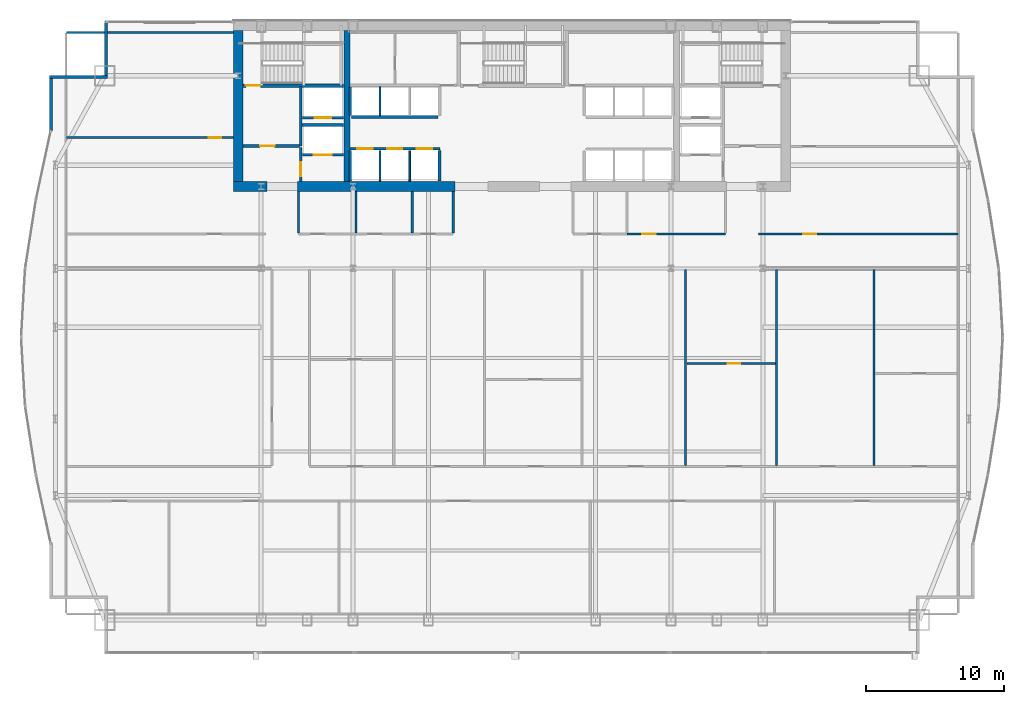
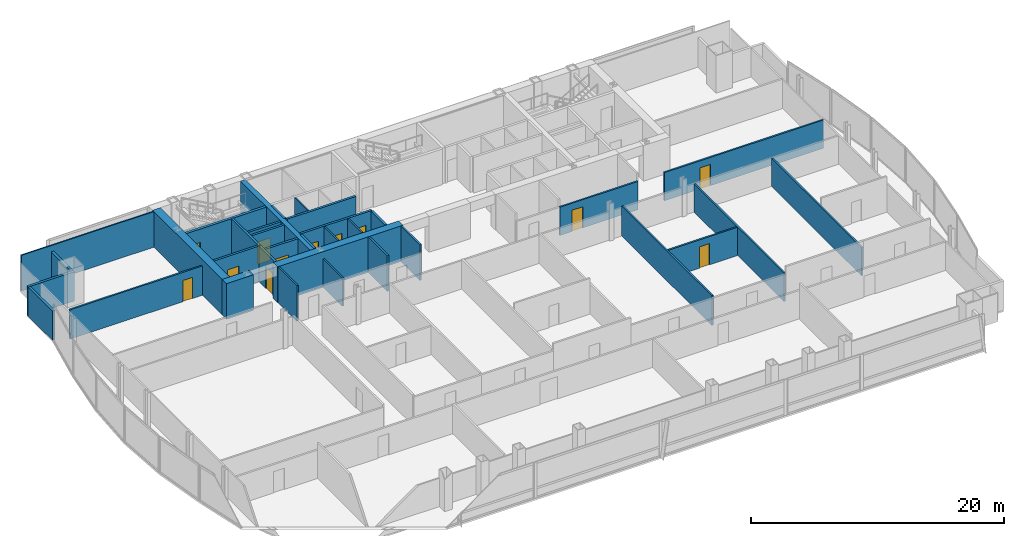
# One storey, part 27 of 32: 34 walls, 12 doors, 12 openings.
"""IFC4 building model written with IfcOpenShell, lengths in metres."""

import ifcopenshell
import ifcopenshell.guid

model = None  # the IFC model being written
_history = None  # IfcOwnerHistory: only IFC2X3 demands one
_inside = {}  # id of a spatial element -> (the spatial element, [elements in it])
_under = {}  # id of a project, library or spatial element -> (it, [spatial elements below it])
_declared = {}  # id of a project -> (the project, [libraries it declares])
_typed = {}  # id of a type object -> (the type object, [elements of that type])
_made_of = {}  # id of a material, layer set ... -> (it, [elements and type objects made of it])


def new_model(schema):
    """Start an empty IFC model of exactly this schema.

    Asked for "IFC4X3", IfcOpenShell would pick the latest addendum, in which some entities
    have other attributes; the version numbers below select the first issue.
    IFC2X3 requires an IfcOwnerHistory on every rooted entity: one is made here for all.
    """
    global model, _history
    if schema == "IFC4X3":
        model = ifcopenshell.file(schema_version=(4, 3, 0, 0))
    else:
        model = ifcopenshell.file(schema=schema)
    _inside.clear()
    _under.clear()
    _declared.clear()
    _typed.clear()
    _made_of.clear()
    _history = None
    if model.schema == "IFC2X3":
        org = make("IfcOrganization", Name="unknown")
        user = make(
            "IfcPersonAndOrganization",
            ThePerson=make("IfcPerson", FamilyName="unknown"),
            TheOrganization=org,
        )
        app = make(
            "IfcApplication",
            ApplicationDeveloper=org,
            Version="unknown",
            ApplicationFullName="unknown",
            ApplicationIdentifier="unknown",
        )
        _history = make(
            "IfcOwnerHistory",
            OwningUser=user,
            OwningApplication=app,
            ChangeAction="ADDED",
            CreationDate=0,
        )
    return model


def make(cls, **values):
    """One entity of the class cls with the attributes given. An attribute that is None is left unset."""
    return model.create_entity(
        cls, **{name: value for name, value in values.items() if value is not None}
    )


def rooted(cls, **values):
    """An entity with a GlobalId (a new one), such as an element, a storey or a relation."""
    return make(cls, GlobalId=ifcopenshell.guid.new(), OwnerHistory=_history, **values)


def si_unit(unit_type, name, prefix=None):
    """IfcSIUnit, for example si_unit("LENGTHUNIT", "METRE", prefix="MILLI")."""
    return make("IfcSIUnit", UnitType=unit_type, Prefix=prefix, Name=name)


def assignment(units):
    """IfcUnitAssignment: the units of a project."""
    return None if units is None else make("IfcUnitAssignment", Units=units)


def point(xyz):
    """IfcCartesianPoint."""
    return None if xyz is None else make("IfcCartesianPoint", Coordinates=xyz)


def direction(xyz):
    """IfcDirection."""
    return None if xyz is None else make("IfcDirection", DirectionRatios=xyz)


def frame(location, z_axis=None, x_axis=None):
    """IfcAxis2Placement3D, a coordinate frame: its origin and axes. An axis left out is left unset."""
    return make(
        "IfcAxis2Placement3D",
        Location=point(location),
        Axis=direction(z_axis),
        RefDirection=direction(x_axis),
    )


def frame_2d(location, x_axis=None):
    """IfcAxis2Placement2D, a coordinate frame in the plane: its origin and x axis."""
    return make(
        "IfcAxis2Placement2D", Location=point(location), RefDirection=direction(x_axis)
    )


def origin():
    """The frame at (0, 0, 0) with its axes left unset."""
    return frame((0.0, 0.0, 0.0))


def place(relative_to, where):
    """IfcLocalPlacement: puts the frame where relative to a parent placement (None: the world)."""
    return make(
        "IfcLocalPlacement", PlacementRelTo=relative_to, RelativePlacement=where
    )


def context(
    kind, dimensions, precision=None, world=None, true_north=None, identifier=None
):
    """IfcGeometricRepresentationContext, for example the 3D "Model" context."""
    return make(
        "IfcGeometricRepresentationContext",
        ContextIdentifier=identifier,
        ContextType=kind,
        CoordinateSpaceDimension=dimensions,
        Precision=precision,
        WorldCoordinateSystem=world,
        TrueNorth=true_north,
    )


def subcontext(parent, identifier, kind, view, scale=None):
    """IfcGeometricRepresentationSubContext, for example "Body" below "Model"."""
    return make(
        "IfcGeometricRepresentationSubContext",
        ContextIdentifier=identifier,
        ContextType=kind,
        ParentContext=parent,
        TargetScale=scale,
        TargetView=view,
    )


def project(units=None, contexts=None):
    """IfcProject with its units and contexts."""
    return rooted(
        "IfcProject",
        Name="project",
        RepresentationContexts=contexts,
        UnitsInContext=assignment(units),
    )


def spatial(cls, under=None, at=None, **own):
    """A site, building, storey or space (cls), placed at a placement, below another one or the project."""
    s = rooted(cls, ObjectPlacement=at, **own)
    if under is not None:
        _under.setdefault(under.id(), (under, []))[1].append(s)
    return s


def profile(cls, at=None, kind="AREA", **sizes):
    """A parametric profile (cls). Its sizes go by their IFC names, for example OverallWidth=200.0."""
    return make(cls, ProfileType=kind, Position=at, **sizes)


def rectangle(**sizes):
    """IfcRectangleProfileDef."""
    return profile("IfcRectangleProfileDef", **sizes)


def extrude(swept, where, along, depth):
    """IfcExtrudedAreaSolid: the profile swept, set in the frame where, extruded along a direction by depth."""
    return make(
        "IfcExtrudedAreaSolid",
        SweptArea=swept,
        Position=where,
        ExtrudedDirection=direction(along),
        Depth=depth,
    )


def shape(context_of_items, identifier, shape_type, items):
    """IfcShapeRepresentation: the items that make up one representation, for example the "Body"."""
    return make(
        "IfcShapeRepresentation",
        ContextOfItems=context_of_items,
        RepresentationIdentifier=identifier,
        RepresentationType=shape_type,
        Items=items,
    )


def material(Name=None, Category=None):
    """IfcMaterial."""
    return make("IfcMaterial", Name=Name, Category=Category)


def layer(
    of_material, thickness, ventilated=None, Name=None, Category=None, Priority=None
):
    """IfcMaterialLayer: one layer of a wall or slab, of a material (None: an air gap)."""
    return make(
        "IfcMaterialLayer",
        Material=of_material,
        LayerThickness=thickness,
        IsVentilated=ventilated,
        Name=Name,
        Category=Category,
        Priority=Priority,
    )


def layer_set(layers, Name=None):
    """IfcMaterialLayerSet."""
    return make("IfcMaterialLayerSet", MaterialLayers=layers, LayerSetName=Name)


def made_of(thing, what):
    """Note that an element or type object is made of a material, layer set ...; save() writes the relation."""
    if what is not None:
        _made_of.setdefault(what.id(), (what, []))[1].append(thing)
    return thing


def type_object(cls, material=None, **own):
    """A type object (cls), such as IfcWallType, which elements share."""
    return made_of(rooted(cls, **own), material)


def element(
    cls,
    number,
    at=None,
    inside=None,
    cuts=None,
    type_object=None,
    material=None,
    context=None,
    identifier="Body",
    shape_type=None,
    held_by="IfcProductDefinitionShape",
    body=None,
    shapes=None,
    **own,
):
    """One element of the class cls, such as IfcWall. Its Tag is "e" and its number.

    at: its placement. inside: the storey or other place that contains it. cuts: it is an
    opening in that element (IfcRelVoidsElement). A single representation is given by context,
    identifier, shape_type and body (its items); several are given by shapes. held_by: the class
    of the entity that holds the representations. save() writes the other relations.
    """
    e = rooted(cls, Tag="e%d" % number, ObjectPlacement=at, **own)
    if body is not None:
        shapes = [shape(context, identifier, shape_type, body)]
    if shapes is not None:
        e.Representation = make(held_by, Representations=shapes)
    if inside is not None:
        _inside.setdefault(inside.id(), (inside, []))[1].append(e)
    if cuts is not None:
        rooted(
            "IfcRelVoidsElement", RelatingBuildingElement=cuts, RelatedOpeningElement=e
        )
    if type_object is not None:
        _typed.setdefault(type_object.id(), (type_object, []))[1].append(e)
    return made_of(e, material)


def fill(opening, filler):
    """IfcRelFillsElement: the door or window that sits in an opening."""
    return rooted(
        "IfcRelFillsElement",
        RelatingOpeningElement=opening,
        RelatedBuildingElement=filler,
    )


def aggregate(whole, parts):
    """IfcRelAggregates: a whole, such as a stair, and the parts it consists of."""
    return rooted("IfcRelAggregates", RelatingObject=whole, RelatedObjects=parts)


def save(model, path):
    """Write the relations noted so far, then the file.

    IfcRelAggregates (storeys below a building ...), IfcRelContainedInSpatialStructure (elements
    in a storey), IfcRelDefinesByType, IfcRelAssociatesMaterial and IfcRelDeclares: one each for
    every whole, place, type object, material and project.
    """
    for whole, parts in _under.values():
        aggregate(whole, parts)
    for where, things in _inside.values():
        rooted(
            "IfcRelContainedInSpatialStructure",
            RelatedElements=things,
            RelatingStructure=where,
        )
    for kind, things in _typed.values():
        rooted("IfcRelDefinesByType", RelatedObjects=things, RelatingType=kind)
    for what, things in _made_of.values():
        rooted("IfcRelAssociatesMaterial", RelatedObjects=things, RelatingMaterial=what)
    for by, libraries in _declared.values():
        rooted("IfcRelDeclares", RelatingContext=by, RelatedDefinitions=libraries)
    model.write(path)


model = new_model("IFC4")

# Units and contexts
model_context = context("Model", 3, precision=1e-05, world=origin(), true_north=direction((0.0, 1.0)))
body_context = subcontext(model_context, "Body", "Model", "MODEL_VIEW")
ifc_project = project(units=[si_unit("LENGTHUNIT", "METRE"), si_unit("AREAUNIT", "SQUARE_METRE"), si_unit("VOLUMEUNIT", "CUBIC_METRE"), si_unit("PLANEANGLEUNIT", "RADIAN"), si_unit("MASSUNIT", "GRAM", prefix="KILO")], contexts=[model_context])

# Site, building, storey
site_placement = place(None, origin())
site = spatial("IfcSite", under=ifc_project, at=site_placement, CompositionType="ELEMENT")
building_placement = place(site_placement, origin())
building = spatial("IfcBuilding", under=site, at=building_placement, Name="Khoronbel Lancet Exchange", CompositionType="ELEMENT")
storey_placement = place(building_placement, frame((0.0, 0.0, 111.0)))
storey = spatial("IfcBuildingStorey", under=building, at=storey_placement, Name="L26", CompositionType="ELEMENT", Elevation=111.0)

# Walls
ifc_material_1 = material(Name="Concrete C80/95", Category="concrete")
ifc_layer_1 = layer(ifc_material_1, 0.699951171875, Name="Concrete C80/95")
ifc_layer_set_1 = layer_set([ifc_layer_1], Name="Concrete C80/95")
wall_type_1 = type_object("IfcWallType", Name="WL-CW2", PredefinedType="SHEAR", material=ifc_layer_set_1)
wall_1_placement = place(storey_placement, frame((16.550048828125, 42.0, 0.0), z_axis=(0.0, 0.0, 1.0), x_axis=(0.0, 1.0, 0.0)))
element("IfcWall", 1, at=wall_1_placement, inside=storey, type_object=wall_type_1, Name="Level L26 rear core west shear wall", PredefinedType="SHEAR", context=body_context, shape_type="SweptSolid", body=[
    extrude(rectangle(XDim=11.0, YDim=0.699951171875, at=frame_2d((5.5, 0.0))), origin(), (0.0, 0.0, 1.0), 3.43994140625),
])
wall_2_placement = place(storey_placement, frame((18.64990234375, 41.64990234375, 0.0), z_axis=(0.0, 0.0, 1.0), x_axis=(-1.0, 0.0, 0.0)))
element("IfcWall", 2, at=wall_2_placement, inside=storey, type_object=wall_type_1, Name="Level L26 rear core south shear wall pier P1", PredefinedType="SHEAR", context=body_context, shape_type="SweptSolid", body=[
    extrude(rectangle(XDim=2.449951171875, YDim=0.699951171875, at=frame_2d((1.22509765625, 0.0))), origin(), (0.0, 0.0, 1.0), 3.43994140625),
])
wall_3_placement = place(storey_placement, frame((32.300048828125, 41.64990234375, 0.0), z_axis=(0.0, 0.0, 1.0), x_axis=(-1.0, 0.0, 0.0)))
element("IfcWall", 3, at=wall_3_placement, inside=storey, type_object=wall_type_1, Name="Level L26 rear core south shear wall pier P2", PredefinedType="SHEAR", context=body_context, shape_type="SweptSolid", body=[
    extrude(rectangle(XDim=11.449951171875, YDim=0.699951171875, at=frame_2d((5.72509765625, 0.0))), origin(), (0.0, 0.0, 1.0), 3.43994140625),
])
ifc_material_2 = material(Name="Precast concrete C40/50", Category="concrete")
ifc_layer_2 = layer(ifc_material_2, 0.25, Name="Precast concrete C40/50")
ifc_layer_set_2 = layer_set([ifc_layer_2], Name="Precast concrete C40/50")
wall_type_2 = type_object("IfcWallType", Name="WL-EXT250", PredefinedType="SOLIDWALL", material=ifc_layer_set_2)
wall_4_placement = place(storey_placement, frame((2.93994140625, 45.67041015625, 0.0), z_axis=(0.0, 0.0, 1.0), x_axis=(0.0, 1.0, 0.0)))
element("IfcWall", 4, at=wall_4_placement, inside=storey, type_object=wall_type_2, Name="Level L26 notched-corner limestone pier 10", PredefinedType="SOLIDWALL", context=body_context, shape_type="SweptSolid", body=[
    extrude(rectangle(XDim=3.82958984375, YDim=0.219970703125, at=frame_2d((1.914794921875, 0.0))), origin(), (0.0, 0.0, 1.0), 2.830078125),
])
wall_5_placement = place(storey_placement, frame((2.830078125, 49.610107421875, 0.0), z_axis=(0.0, 0.0, 1.0), x_axis=(1.0, 0.0, 0.0)))
element("IfcWall", 5, at=wall_5_placement, inside=storey, type_object=wall_type_2, Name="Level L26 notched-corner limestone pier 11", PredefinedType="SOLIDWALL", context=body_context, shape_type="SweptSolid", body=[
    extrude(rectangle(XDim=4.219970703125, YDim=0.219970703125, at=frame_2d((2.10986328125, 0.0))), origin(), (0.0, 0.0, 1.0), 2.830078125),
])
wall_6_placement = place(storey_placement, frame((6.93994140625, 49.719970703125, 0.0), z_axis=(0.0, 0.0, 1.0), x_axis=(0.0, 1.0, 0.0)))
element("IfcWall", 6, at=wall_6_placement, inside=storey, type_object=wall_type_2, Name="Level L26 notched-corner limestone pier 12", PredefinedType="SOLIDWALL", context=body_context, shape_type="SweptSolid", body=[
    extrude(rectangle(XDim=3.909912109375, YDim=0.219970703125, at=frame_2d((1.955078125, 0.0))), origin(), (0.0, 0.0, 1.0), 2.830078125),
])
ifc_material_3 = material(Name="Acoustic Metal-Stud & Mineral-Wool Gypsum Partition 120 mm", Category="gypsum")
ifc_layer_3 = layer(ifc_material_3, 0.1201171875, Name="Acoustic Metal-Stud & Mineral-Wool Gypsum Partition 120 mm")
ifc_layer_set_3 = layer_set([ifc_layer_3], Name="Acoustic Metal-Stud & Mineral-Wool Gypsum Partition 120 mm")
wall_type_3 = type_object("IfcWallType", Name="WL-PRT120", PredefinedType="PARTITIONING", material=ifc_layer_set_3)
wall_7_placement = place(storey_placement, frame((20.949951171875, 38.280029296875, 0.0), z_axis=(0.0, 0.0, 1.0), x_axis=(0.0, 1.0, 0.0)))
element("IfcWall", 7, at=wall_7_placement, inside=storey, type_object=wall_type_3, Name="Level L26 interior partition PW-WC-0", PredefinedType="PARTITIONING", context=body_context, shape_type="SweptSolid", body=[
    extrude(rectangle(XDim=3.02001953125, YDim=0.14990234375, at=frame_2d((1.510009765625, 0.0))), origin(), (0.0, 0.0, 1.0), 3.43994140625),
])
wall_8_placement = place(storey_placement, frame((25.10009765625, 38.280029296875, 0.0), z_axis=(0.0, 0.0, 1.0), x_axis=(0.0, 1.0, 0.0)))
element("IfcWall", 8, at=wall_8_placement, inside=storey, type_object=wall_type_3, Name="Level L26 interior partition PW-WC-1", PredefinedType="PARTITIONING", context=body_context, shape_type="SweptSolid", body=[
    extrude(rectangle(XDim=3.02001953125, YDim=0.14990234375, at=frame_2d((1.510009765625, 0.0))), origin(), (0.0, 0.0, 1.0), 2.72998046875),
])
for number, where, z_axis, x_axis, name in (
    (9, (29.199951171875, 38.280029296875, 0.0), (0.0, 0.0, 1.0), (0.0, 1.0, 0.0), "Level L26 interior partition PW-WC-2"),
    (10, (32.179931640625, 38.280029296875, 0.0), (0.0, 0.0, 1.0), (0.0, 1.0, 0.0), "Level L26 interior partition PW-WC-3"),
):
    element("IfcWall", number, at=place(storey_placement, frame(where, z_axis=z_axis, x_axis=x_axis)), inside=storey, type_object=wall_type_3, Name=name, PredefinedType="PARTITIONING", context=body_context, shape_type="SweptSolid", body=[
        extrude(rectangle(XDim=3.02001953125, YDim=0.14990234375, at=frame_2d((1.510009765625, 0.0))), origin(), (0.0, 0.0, 1.0), 3.43994140625),
    ])

# Wall, opening, door
wall_9_placement = place(storey_placement, frame((4.094970703125, 45.199951171875, 0.0), z_axis=(0.0, 0.0, 1.0), x_axis=(1.0, 0.0, 0.0)))
wall_9 = element("IfcWall", 11, at=wall_9_placement, inside=storey, type_object=wall_type_3, Name="Level L26 interior partition PW-NW-H", PredefinedType="PARTITIONING", context=body_context, shape_type="SweptSolid", body=[
    extrude(rectangle(XDim=12.10498046875, YDim=0.14990234375, at=frame_2d((6.052490234375, 0.0))), origin(), (0.0, 0.0, 1.0), 2.830078125),
])
opening_1_placement = place(wall_9_placement, frame((10.320068359375, 0.0, 0.0)))
opening_1 = element("IfcOpeningElement", 12, at=opening_1_placement, cuts=wall_9, Name="Opening D5", PredefinedType="OPENING", context=body_context, shape_type="SweptSolid", body=[
    extrude(rectangle(XDim=0.89990234375, YDim=2.050048828125, at=frame_2d((0.449951171875, 1.02490234375))), frame((0.0, 0.0849609375, 0.0), z_axis=(0.0, -1.0, 0.0), x_axis=(1.0, 0.0, 0.0)), (0.0, 0.0, 1.0), 0.169921875),
])
ifc_material_4 = material(Name="Acoustic Timber Pantry & Support Door", Category="wood")
door_type_1 = type_object("IfcDoorType", Name="DR-D5", OperationType="NOTDEFINED", PredefinedType="DOOR", material=ifc_material_4)
door_1_placement = place(opening_1_placement, origin())
door_1 = element("IfcDoor", 13, at=door_1_placement, inside=storey, type_object=door_type_1, Name="NW north room door L26-1", OperationType="SINGLE_SWING_LEFT", OverallHeight=2.050048828125, OverallWidth=0.89990234375, PredefinedType="DOOR", context=body_context, shape_type="SweptSolid", body=[
    extrude(rectangle(XDim=0.89990234375, YDim=2.050048828125, at=frame_2d((0.449951171875, 1.02490234375))), frame((0.0, 0.02490234375, 0.0), z_axis=(0.0, -1.0, 0.0), x_axis=(1.0, 0.0, 0.0)), (0.0, 0.0, 1.0), 0.050048828125),
])
fill(opening_1, door_1)

wall_10_placement = place(storey_placement, frame((49.151123046875, 28.7880859375, 0.0), z_axis=(0.0, 0.0, 1.0), x_axis=(1.0, 0.0, 0.0)))
wall_10 = element("IfcWall", 14, at=wall_10_placement, inside=storey, type_object=wall_type_3, Name="Level L26 interior partition PW-Z2N-H5", PredefinedType="PARTITIONING", context=body_context, shape_type="SweptSolid", body=[
    extrude(rectangle(XDim=6.439697265625, YDim=0.14990234375, at=frame_2d((3.2197265625, 0.0))), origin(), (0.0, 0.0, 1.0), 2.72998046875),
])
opening_2_placement = place(wall_10_placement, frame((2.9697265625, 0.0, 0.0)))
opening_2 = element("IfcOpeningElement", 15, at=opening_2_placement, cuts=wall_10, Name="Opening D5", PredefinedType="OPENING", context=body_context, shape_type="SweptSolid", body=[
    extrude(rectangle(XDim=0.89990234375, YDim=2.050048828125, at=frame_2d((0.449951171875, 1.02490234375))), frame((0.0, 0.0849609375, 0.0), z_axis=(0.0, -1.0, 0.0), x_axis=(1.0, 0.0, 0.0)), (0.0, 0.0, 1.0), 0.169921875),
])
door_2_placement = place(opening_2_placement, origin())
door_2 = element("IfcDoor", 16, at=door_2_placement, inside=storey, type_object=door_type_1, Name="Z2N inner door 5 L26-1", OperationType="SINGLE_SWING_LEFT", OverallHeight=2.050048828125, OverallWidth=0.89990234375, PredefinedType="DOOR", context=body_context, shape_type="SweptSolid", body=[
    extrude(rectangle(XDim=0.89990234375, YDim=2.050048828125, at=frame_2d((0.449951171875, 1.02490234375))), frame((0.0, 0.02490234375, 0.0), z_axis=(0.0, -1.0, 0.0), x_axis=(1.0, 0.0, 0.0)), (0.0, 0.0, 1.0), 0.050048828125),
])
fill(opening_2, door_2)

# Walls
wall_11_placement = place(storey_placement, frame((4.094970703125, 52.840087890625, 0.0), z_axis=(0.0, 0.0, 1.0), x_axis=(1.0, 0.0, 0.0)))
element("IfcWall", 17, at=wall_11_placement, inside=storey, type_object=wall_type_3, Name="Level L26 interior partition PW-LIN-NW", PredefinedType="PARTITIONING", context=body_context, shape_type="SweptSolid", body=[
    extrude(rectangle(XDim=12.10498046875, YDim=0.1201171875, at=frame_2d((6.052490234375, 0.0))), origin(), (0.0, 0.0, 1.0), 3.43994140625),
])
ifc_material_5 = material(Name="Fire-Rated Metal-Stud & Mineral-Wool Gypsum Partition 120 mm", Category="gypsum")
ifc_layer_4 = layer(ifc_material_5, 0.1201171875, Name="Fire-Rated Metal-Stud & Mineral-Wool Gypsum Partition 120 mm")
ifc_layer_set_4 = layer_set([ifc_layer_4], Name="Fire-Rated Metal-Stud & Mineral-Wool Gypsum Partition 120 mm")
wall_type_4 = type_object("IfcWallType", Name="WL-PRT120F", PredefinedType="PARTITIONING", material=ifc_layer_set_4)
wall_12_placement = place(storey_placement, frame((26.860107421875, 46.804931640625, 0.0), z_axis=(0.0, 0.0, 1.0), x_axis=(0.0, 1.0, 0.0)))
element("IfcWall", 18, at=wall_12_placement, inside=storey, type_object=wall_type_4, Name="Level L26 interior partition CW-PL-D1", PredefinedType="PARTITIONING", context=body_context, shape_type="SweptSolid", body=[
    extrude(rectangle(XDim=2.090087890625, YDim=0.1201171875, at=frame_2d((1.044921875, 0.0))), origin(), (0.0, 0.0, 1.0), 3.43994140625),
])
for number, where, z_axis, x_axis, name in (
    (19, (26.860107421875, 42.050048828125, 0.0), (0.0, 0.0, 1.0), (0.0, 1.0, 0.0), "Level L26 interior partition CW-PM-D1"),
    (20, (29.02001953125, 42.050048828125, 0.0), (0.0, 0.0, 1.0), (0.0, 1.0, 0.0), "Level L26 interior partition CW-PM-D2"),
):
    element("IfcWall", number, at=place(storey_placement, frame(where, z_axis=z_axis, x_axis=x_axis)), inside=storey, type_object=wall_type_4, Name=name, PredefinedType="PARTITIONING", context=body_context, shape_type="SweptSolid", body=[
        extrude(rectangle(XDim=2.199951171875, YDim=0.1201171875, at=frame_2d((1.10009765625, 0.0))), origin(), (0.0, 0.0, 1.0), 3.43994140625),
    ])

# Wall, opening, door
ifc_material_6 = material(Name="Fire-Rated Twin-Stud Acoustic Gypsum Partition 150 mm", Category="gypsum")
ifc_layer_5 = layer(ifc_material_6, 0.14990234375, Name="Fire-Rated Twin-Stud Acoustic Gypsum Partition 150 mm")
ifc_layer_set_5 = layer_set([ifc_layer_5], Name="Fire-Rated Twin-Stud Acoustic Gypsum Partition 150 mm")
wall_type_5 = type_object("IfcWallType", Name="WL-PRT150C", PredefinedType="PARTITIONING", material=ifc_layer_set_5)
wall_13_placement = place(storey_placement, frame((44.800048828125, 38.199951171875, 0.0), z_axis=(0.0, 0.0, 1.0), x_axis=(1.0, 0.0, 0.0)))
wall_13 = element("IfcWall", 21, at=wall_13_placement, inside=storey, type_object=wall_type_5, Name="Level L26 interior partition PW-NP-S2", PredefinedType="PARTITIONING", context=body_context, shape_type="SweptSolid", body=[
    extrude(rectangle(XDim=7.14990234375, YDim=0.14990234375, at=frame_2d((3.574951171875, 0.0))), origin(), (0.0, 0.0, 1.0), 2.72998046875),
])
opening_3_placement = place(wall_13_placement, frame((1.10009765625, 0.0, 0.0)))
opening_3 = element("IfcOpeningElement", 22, at=opening_3_placement, cuts=wall_13, Name="Opening D2", PredefinedType="OPENING", context=body_context, shape_type="SweptSolid", body=[
    extrude(rectangle(XDim=1.0, YDim=2.050048828125, at=frame_2d((0.5, 1.02490234375))), frame((0.0, 0.0849609375, 0.0), z_axis=(0.0, -1.0, 0.0), x_axis=(1.0, 0.0, 0.0)), (0.0, 0.0, 1.0), 0.169921875),
])
ifc_material_7 = material(Name="Acoustic Veneered Timber & Bronze Frame Door", Category="wood")
door_type_2 = type_object("IfcDoorType", Name="DR-D2", OperationType="NOTDEFINED", PredefinedType="DOOR", material=ifc_material_7)
door_3_placement = place(opening_3_placement, origin())
door_3 = element("IfcDoor", 23, at=door_3_placement, inside=storey, type_object=door_type_2, Name="Floor store door L26-1", OperationType="SINGLE_SWING_RIGHT", OverallHeight=2.050048828125, OverallWidth=1.0, PredefinedType="DOOR", context=body_context, shape_type="SweptSolid", body=[
    extrude(rectangle(XDim=1.0, YDim=2.050048828125, at=frame_2d((0.5, 1.02490234375))), frame((0.0, 0.02490234375, 0.0), z_axis=(0.0, -1.0, 0.0), x_axis=(1.0, 0.0, 0.0)), (0.0, 0.0, 1.0), 0.050048828125),
])
fill(opening_3, door_3)

wall_14_placement = place(storey_placement, frame((54.35009765625, 38.199951171875, 0.0), z_axis=(0.0, 0.0, 1.0), x_axis=(1.0, 0.0, 0.0)))
wall_14 = element("IfcWall", 24, at=wall_14_placement, inside=storey, type_object=wall_type_5, Name="Level L26 interior partition PW-NE-S", PredefinedType="PARTITIONING", context=body_context, shape_type="SweptSolid", body=[
    extrude(rectangle(XDim=14.52001953125, YDim=0.14990234375, at=frame_2d((7.260009765625, 0.0))), origin(), (0.0, 0.0, 1.0), 2.72998046875),
])
opening_4_placement = place(wall_14_placement, frame((3.25, 0.0, 0.0)))
opening_4 = element("IfcOpeningElement", 25, at=opening_4_placement, cuts=wall_14, Name="Opening D1", PredefinedType="OPENING", context=body_context, shape_type="SweptSolid", body=[
    extrude(rectangle(XDim=0.949951171875, YDim=2.050048828125, at=frame_2d((0.47509765625, 1.02490234375))), frame((0.0, 0.0849609375, 0.0), z_axis=(0.0, -1.0, 0.0), x_axis=(1.0, 0.0, 0.0)), (0.0, 0.0, 1.0), 0.169921875),
])
door_type_3 = type_object("IfcDoorType", Name="DR-D1", OperationType="NOTDEFINED", PredefinedType="DOOR", material=ifc_material_7)
door_4_placement = place(opening_4_placement, origin())
door_4 = element("IfcDoor", 26, at=door_4_placement, inside=storey, type_object=door_type_3, Name="NE corner room door L26-1", OperationType="SINGLE_SWING_RIGHT", OverallHeight=2.050048828125, OverallWidth=0.949951171875, PredefinedType="DOOR", context=body_context, shape_type="SweptSolid", body=[
    extrude(rectangle(XDim=0.949951171875, YDim=2.050048828125, at=frame_2d((0.47509765625, 1.02490234375))), frame((0.0, 0.02490234375, 0.0), z_axis=(0.0, -1.0, 0.0), x_axis=(1.0, 0.0, 0.0)), (0.0, 0.0, 1.0), 0.050048828125),
])
fill(opening_4, door_4)

# Walls
wall_15_placement = place(storey_placement, frame((49.0712890625, 21.385009765625, 0.0), z_axis=(0.0, 0.0, 1.0), x_axis=(0.0, 1.0, 0.0)))
element("IfcWall", 27, at=wall_15_placement, inside=storey, type_object=wall_type_5, Name="Level L26 interior partition PW-Z2N-V4", PredefinedType="PARTITIONING", context=body_context, shape_type="SweptSolid", body=[
    extrude(rectangle(XDim=14.235107421875, YDim=0.14990234375, at=frame_2d((7.11767578125, 0.0))), origin(), (0.0, 0.0, 1.0), 2.8798828125),
])
for number, where, z_axis, x_axis, name in (
    (28, (55.6708984375, 21.385009765625, 0.0), (0.0, 0.0, 1.0), (0.0, 1.0, 0.0), "Level L26 interior partition PW-Z2N-V5"),
    (29, (62.74169921875, 21.385009765625, 0.0), (0.0, 0.0, 1.0), (0.0, 1.0, 0.0), "Level L26 interior partition PW-Z2N-V6"),
):
    element("IfcWall", number, at=place(storey_placement, frame(where, z_axis=z_axis, x_axis=x_axis)), inside=storey, type_object=wall_type_5, Name=name, PredefinedType="PARTITIONING", context=body_context, shape_type="SweptSolid", body=[
        extrude(rectangle(XDim=14.235107421875, YDim=0.14990234375, at=frame_2d((7.11767578125, 0.0))), origin(), (0.0, 0.0, 1.0), 2.72998046875),
    ])

# Wall, openings, doors
ifc_material_8 = material(Name="Autoclaved Aerated Concrete Blockwork 200 mm", Category="masonry")
ifc_layer_6 = layer(ifc_material_8, 0.199951171875, Name="Autoclaved Aerated Concrete Blockwork 200 mm")
ifc_layer_set_6 = layer_set([ifc_layer_6], Name="Autoclaved Aerated Concrete Blockwork 200 mm")
wall_type_6 = type_object("IfcWallType", Name="WL-PRT200", PredefinedType="PARTITIONING", material=ifc_layer_set_6)
wall_16_placement = place(storey_placement, frame((24.68994140625, 44.39990234375, 0.0), z_axis=(0.0, 0.0, 1.0), x_axis=(1.0, 0.0, 0.0)))
wall_16 = element("IfcWall", 30, at=wall_16_placement, inside=storey, type_object=wall_type_6, Name="Level L26 elevator hoistway landing front wall PMW", PredefinedType="PARTITIONING", context=body_context, shape_type="SweptSolid", body=[
    extrude(rectangle(XDim=6.530029296875, YDim=0.199951171875, at=frame_2d((3.26513671875, 0.0))), origin(), (0.0, 0.0, 1.0), 3.43994140625),
])
opening_5_placement = place(wall_16_placement, frame((0.530029296875, 0.0, 0.0)))
opening_5 = element("IfcOpeningElement", 31, at=opening_5_placement, cuts=wall_16, Name="Opening LD-PM1", PredefinedType="OPENING", context=body_context, shape_type="SweptSolid", body=[
    extrude(rectangle(XDim=1.10009765625, YDim=2.179931640625, at=frame_2d((0.550048828125, 1.08984375))), frame((0.0, 0.10986328125, 0.0), z_axis=(0.0, -1.0, 0.0), x_axis=(1.0, 0.0, 0.0)), (0.0, 0.0, 1.0), 0.219970703125),
])
opening_6_placement = place(wall_16_placement, frame((2.68994140625, 0.0, 0.0)))
opening_6 = element("IfcOpeningElement", 32, at=opening_6_placement, cuts=wall_16, Name="Opening LD-PM2", PredefinedType="OPENING", context=body_context, shape_type="SweptSolid", body=[
    extrude(rectangle(XDim=1.10009765625, YDim=2.179931640625, at=frame_2d((0.550048828125, 1.08984375))), frame((0.0, 0.10986328125, 0.0), z_axis=(0.0, -1.0, 0.0), x_axis=(1.0, 0.0, 0.0)), (0.0, 0.0, 1.0), 0.219970703125),
])
opening_7_placement = place(wall_16_placement, frame((4.85009765625, 0.0, 0.0)))
opening_7 = element("IfcOpeningElement", 33, at=opening_7_placement, cuts=wall_16, Name="Opening LD-PM3", PredefinedType="OPENING", context=body_context, shape_type="SweptSolid", body=[
    extrude(rectangle(XDim=1.10009765625, YDim=2.179931640625, at=frame_2d((0.550048828125, 1.08984375))), frame((0.0, 0.10986328125, 0.0), z_axis=(0.0, -1.0, 0.0), x_axis=(1.0, 0.0, 0.0)), (0.0, 0.0, 1.0), 0.219970703125),
])
ifc_material_9 = material(Name="Brushed Bronze Bi-Parting Elevator Landing Door", Category="steel")
door_type_4 = type_object("IfcDoorType", Name="DR-LD-PAX", OperationType="NOTDEFINED", PredefinedType="DOOR", material=ifc_material_9)
door_5_placement = place(opening_5_placement, origin())
door_5 = element("IfcDoor", 34, at=door_5_placement, inside=storey, type_object=door_type_4, Name="Elevator landing sliding door LD-PM1 L26", OperationType="SLIDING_TO_LEFT", OverallHeight=2.179931640625, OverallWidth=1.10009765625, PredefinedType="DOOR", context=body_context, shape_type="SweptSolid", body=[
    extrude(rectangle(XDim=1.10009765625, YDim=2.179931640625, at=frame_2d((0.550048828125, 1.08984375))), frame((0.0, 0.02490234375, 0.0), z_axis=(0.0, -1.0, 0.0), x_axis=(1.0, 0.0, 0.0)), (0.0, 0.0, 1.0), 0.050048828125),
])
fill(opening_5, door_5)
door_6_placement = place(opening_6_placement, origin())
door_6 = element("IfcDoor", 35, at=door_6_placement, inside=storey, type_object=door_type_4, Name="Elevator landing sliding door LD-PM2 L26", OperationType="SLIDING_TO_LEFT", OverallHeight=2.179931640625, OverallWidth=1.10009765625, PredefinedType="DOOR", context=body_context, shape_type="SweptSolid", body=[
    extrude(rectangle(XDim=1.10009765625, YDim=2.179931640625, at=frame_2d((0.550048828125, 1.08984375))), frame((0.0, 0.02490234375, 0.0), z_axis=(0.0, -1.0, 0.0), x_axis=(1.0, 0.0, 0.0)), (0.0, 0.0, 1.0), 0.050048828125),
])
fill(opening_6, door_6)
door_7_placement = place(opening_7_placement, origin())
door_7 = element("IfcDoor", 36, at=door_7_placement, inside=storey, type_object=door_type_4, Name="Elevator landing sliding door LD-PM3 L26", OperationType="SLIDING_TO_LEFT", OverallHeight=2.179931640625, OverallWidth=1.10009765625, PredefinedType="DOOR", context=body_context, shape_type="SweptSolid", body=[
    extrude(rectangle(XDim=1.10009765625, YDim=2.179931640625, at=frame_2d((0.550048828125, 1.08984375))), frame((0.0, 0.02490234375, 0.0), z_axis=(0.0, -1.0, 0.0), x_axis=(1.0, 0.0, 0.0)), (0.0, 0.0, 1.0), 0.050048828125),
])
fill(opening_7, door_7)

# Wall, opening, door
wall_17_placement = place(storey_placement, frame((24.2099609375, 43.949951171875, 0.0), z_axis=(0.0, 0.0, 1.0), x_axis=(-1.0, 0.0, 0.0)))
wall_17 = element("IfcWall", 37, at=wall_17_placement, inside=storey, type_object=wall_type_6, Name="Level L26 elevator hoistway landing front wall SVLW", PredefinedType="PARTITIONING", context=body_context, shape_type="SweptSolid", body=[
    extrude(rectangle(XDim=2.969970703125, YDim=0.199951171875, at=frame_2d((1.48486328125, 0.0))), origin(), (0.0, 0.0, 1.0), 3.43994140625),
])
opening_8_placement = place(wall_17_placement, frame((0.860107421875, 0.0, 0.0)))
opening_8 = element("IfcOpeningElement", 38, at=opening_8_placement, cuts=wall_17, Name="Opening LD-SVL1", PredefinedType="OPENING", context=body_context, shape_type="SweptSolid", body=[
    extrude(rectangle(XDim=1.300048828125, YDim=2.179931640625, at=frame_2d((0.64990234375, 1.08984375))), frame((0.0, 0.10986328125, 0.0), z_axis=(0.0, -1.0, 0.0), x_axis=(1.0, 0.0, 0.0)), (0.0, 0.0, 1.0), 0.219970703125),
])
ifc_material_10 = material(Name="Heavy-Duty Bi-Parting Goods Lift Landing Door", Category="steel")
door_type_5 = type_object("IfcDoorType", Name="DR-LD-SVL", OperationType="NOTDEFINED", PredefinedType="DOOR", material=ifc_material_10)
door_8_placement = place(opening_8_placement, origin())
door_8 = element("IfcDoor", 39, at=door_8_placement, inside=storey, type_object=door_type_5, Name="Elevator landing sliding door LD-SVL1 L26", OperationType="SLIDING_TO_LEFT", OverallHeight=2.179931640625, OverallWidth=1.300048828125, PredefinedType="DOOR", context=body_context, shape_type="SweptSolid", body=[
    extrude(rectangle(XDim=1.300048828125, YDim=2.179931640625, at=frame_2d((0.64990234375, 1.08984375))), frame((0.0, 0.02490234375, 0.0), z_axis=(0.0, -1.0, 0.0), x_axis=(1.0, 0.0, 0.0)), (0.0, 0.0, 1.0), 0.050048828125),
])
fill(opening_8, door_8)

wall_18_placement = place(storey_placement, frame((24.2099609375, 46.64990234375, 0.0), z_axis=(0.0, 0.0, 1.0), x_axis=(-1.0, 0.0, 0.0)))
wall_18 = element("IfcWall", 40, at=wall_18_placement, inside=storey, type_object=wall_type_6, Name="Level L26 elevator hoistway landing front wall FFLW", PredefinedType="PARTITIONING", context=body_context, shape_type="SweptSolid", body=[
    extrude(rectangle(XDim=2.969970703125, YDim=0.199951171875, at=frame_2d((1.48486328125, 0.0))), origin(), (0.0, 0.0, 1.0), 3.43994140625),
])
opening_9_placement = place(wall_18_placement, frame((0.909912109375, 0.0, 0.0)))
opening_9 = element("IfcOpeningElement", 41, at=opening_9_placement, cuts=wall_18, Name="Opening LD-FFL1", PredefinedType="OPENING", context=body_context, shape_type="SweptSolid", body=[
    extrude(rectangle(XDim=1.199951171875, YDim=2.179931640625, at=frame_2d((0.60009765625, 1.08984375))), frame((0.0, 0.10986328125, 0.0), z_axis=(0.0, -1.0, 0.0), x_axis=(1.0, 0.0, 0.0)), (0.0, 0.0, 1.0), 0.219970703125),
])
ifc_material_11 = material(Name="Fire-Rated Stainless Bi-Parting Firefighting Lift Door", Category="steel")
door_type_6 = type_object("IfcDoorType", Name="DR-LD-FFL", OperationType="NOTDEFINED", PredefinedType="DOOR", material=ifc_material_11)
door_9_placement = place(opening_9_placement, origin())
door_9 = element("IfcDoor", 42, at=door_9_placement, inside=storey, type_object=door_type_6, Name="Elevator landing sliding door LD-FFL1 L26", OperationType="SLIDING_TO_LEFT", OverallHeight=2.179931640625, OverallWidth=1.199951171875, PredefinedType="DOOR", context=body_context, shape_type="SweptSolid", body=[
    extrude(rectangle(XDim=1.199951171875, YDim=2.179931640625, at=frame_2d((0.60009765625, 1.08984375))), frame((0.0, 0.02490234375, 0.0), z_axis=(0.0, -1.0, 0.0), x_axis=(1.0, 0.0, 0.0)), (0.0, 0.0, 1.0), 0.050048828125),
])
fill(opening_9, door_9)

# Wall
wall_19_placement = place(storey_placement, frame((21.10009765625, 44.60009765625, 0.0), z_axis=(0.0, 0.0, 1.0), x_axis=(0.0, 1.0, 0.0)))
element("IfcWall", 43, at=wall_19_placement, inside=storey, type_object=wall_type_6, Name="Level L26 interior partition CW-FFLW-E", PredefinedType="PARTITIONING", context=body_context, shape_type="SweptSolid", body=[
    extrude(rectangle(XDim=4.2998046875, YDim=0.199951171875, at=frame_2d((2.14990234375, 0.0))), origin(), (0.0, 0.0, 1.0), 3.43994140625),
])

# Wall, opening, door
wall_20_placement = place(storey_placement, frame((16.89990234375, 44.60009765625, 0.0), z_axis=(0.0, 0.0, 1.0), x_axis=(1.0, 0.0, 0.0)))
wall_20 = element("IfcWall", 44, at=wall_20_placement, inside=storey, type_object=wall_type_6, Name="Level L26 interior partition CW-FFLW-S", PredefinedType="PARTITIONING", context=body_context, shape_type="SweptSolid", body=[
    extrude(rectangle(XDim=4.10009765625, YDim=0.199951171875, at=frame_2d((2.050048828125, 0.0))), origin(), (0.0, 0.0, 1.0), 3.43994140625),
])
opening_10_placement = place(wall_20_placement, frame((1.25, 0.0, 0.0)))
opening_10 = element("IfcOpeningElement", 45, at=opening_10_placement, cuts=wall_20, Name="Opening FD1", PredefinedType="OPENING", context=body_context, shape_type="SweptSolid", body=[
    extrude(rectangle(XDim=1.050048828125, YDim=2.14990234375, at=frame_2d((0.52490234375, 1.074951171875))), frame((0.0, 0.10986328125, 0.0), z_axis=(0.0, -1.0, 0.0), x_axis=(1.0, 0.0, 0.0)), (0.0, 0.0, 1.0), 0.219970703125),
])
ifc_material_12 = material(Name="Fire-Rated Painted Steel Door Assembly", Category="steel")
door_type_7 = type_object("IfcDoorType", Name="DR-FD1", OperationType="NOTDEFINED", PredefinedType="DOOR", material=ifc_material_12)
door_10_placement = place(opening_10_placement, origin())
door_10 = element("IfcDoor", 46, at=door_10_placement, inside=storey, type_object=door_type_7, Name="West firefighting lobby FD90S door L26-1", OperationType="SINGLE_SWING_LEFT", OverallHeight=2.14990234375, OverallWidth=1.050048828125, PredefinedType="DOOR", context=body_context, shape_type="SweptSolid", body=[
    extrude(rectangle(XDim=1.050048828125, YDim=2.14990234375, at=frame_2d((0.52490234375, 1.074951171875))), frame((0.0, 0.02490234375, 0.0), z_axis=(0.0, -1.0, 0.0), x_axis=(1.0, 0.0, 0.0)), (0.0, 0.0, 1.0), 0.050048828125),
])
fill(opening_10, door_10)

# Wall
wall_21_placement = place(storey_placement, frame((21.199951171875, 46.1201171875, 0.0), z_axis=(0.0, 0.0, 1.0), x_axis=(1.0, 0.0, 0.0)))
element("IfcWall", 47, at=wall_21_placement, inside=storey, type_object=wall_type_6, Name="Level L26 interior partition CW-FFL1-S", PredefinedType="PARTITIONING", context=body_context, shape_type="SweptSolid", body=[
    extrude(rectangle(XDim=3.02001953125, YDim=0.199951171875, at=frame_2d((1.510009765625, 0.0))), origin(), (0.0, 0.0, 1.0), 3.43994140625),
])

# Wall, opening, door
wall_22_placement = place(storey_placement, frame((21.10009765625, 42.0, 0.0), z_axis=(0.0, 0.0, 1.0), x_axis=(0.0, 1.0, 0.0)))
wall_22 = element("IfcWall", 48, at=wall_22_placement, inside=storey, type_object=wall_type_6, Name="Level L26 interior partition CW-SVLW-W", PredefinedType="PARTITIONING", context=body_context, shape_type="SweptSolid", body=[
    extrude(rectangle(XDim=2.4951171875, YDim=0.199951171875, at=frame_2d((1.24755859375, 0.0))), origin(), (0.0, 0.0, 1.0), 3.43994140625),
])
opening_11_placement = place(wall_22_placement, frame((0.3798828125, 0.0, 0.0)))
opening_11 = element("IfcOpeningElement", 49, at=opening_11_placement, cuts=wall_22, Name="Opening FD1", PredefinedType="OPENING", context=body_context, shape_type="SweptSolid", body=[
    extrude(rectangle(XDim=1.050048828125, YDim=2.14990234375, at=frame_2d((0.52490234375, 1.074951171875))), frame((0.0, 0.10986328125, 0.0), z_axis=(0.0, -1.0, 0.0), x_axis=(1.0, 0.0, 0.0)), (0.0, 0.0, 1.0), 0.219970703125),
])
door_11_placement = place(opening_11_placement, origin())
door_11 = element("IfcDoor", 50, at=door_11_placement, inside=storey, type_object=door_type_7, Name="West service lift lobby door L26-1", OperationType="SINGLE_SWING_RIGHT", OverallHeight=2.14990234375, OverallWidth=1.050048828125, PredefinedType="DOOR", context=body_context, shape_type="SweptSolid", body=[
    extrude(rectangle(XDim=1.050048828125, YDim=2.14990234375, at=frame_2d((0.52490234375, 1.074951171875))), frame((0.0, 0.02490234375, 0.0), z_axis=(0.0, -1.0, 0.0), x_axis=(1.0, 0.0, 0.0)), (0.0, 0.0, 1.0), 0.050048828125),
])
fill(opening_11, door_11)

# Walls
wall_23_placement = place(storey_placement, frame((24.804931640625, 46.699951171875, 0.0), z_axis=(0.0, 0.0, 1.0), x_axis=(1.0, 0.0, 0.0)))
element("IfcWall", 51, at=wall_23_placement, inside=storey, type_object=wall_type_6, Name="Level L26 interior partition CW-PL-EXP", PredefinedType="PARTITIONING", context=body_context, shape_type="SweptSolid", body=[
    extrude(rectangle(XDim=6.27001953125, YDim=0.199951171875, at=frame_2d((3.135009765625, 0.0))), origin(), (0.0, 0.0, 1.0), 3.43994140625),
])
wall_24_placement = place(storey_placement, frame((24.699951171875, 46.804931640625, 0.0), z_axis=(0.0, 0.0, 1.0), x_axis=(0.0, 1.0, 0.0)))
element("IfcWall", 52, at=wall_24_placement, inside=storey, type_object=wall_type_6, Name="Level L26 interior partition CW-PL-W", PredefinedType="PARTITIONING", context=body_context, shape_type="SweptSolid", body=[
    extrude(rectangle(XDim=2.090087890625, YDim=0.199951171875, at=frame_2d((1.044921875, 0.0))), origin(), (0.0, 0.0, 1.0), 3.43994140625),
])
for number, where, z_axis, x_axis, name in (
    (53, (24.699951171875, 42.050048828125, 0.0), (0.0, 0.0, 1.0), (0.0, 1.0, 0.0), "Level L26 interior partition CW-PM-W"),
    (54, (31.179931640625, 42.050048828125, 0.0), (0.0, 0.0, 1.0), (0.0, 1.0, 0.0), "Level L26 interior partition CW-PM-E"),
):
    element("IfcWall", number, at=place(storey_placement, frame(where, z_axis=z_axis, x_axis=x_axis)), inside=storey, type_object=wall_type_6, Name=name, PredefinedType="PARTITIONING", context=body_context, shape_type="SweptSolid", body=[
        extrude(rectangle(XDim=2.199951171875, YDim=0.199951171875, at=frame_2d((1.10009765625, 0.0))), origin(), (0.0, 0.0, 1.0), 3.43994140625),
    ])
ifc_layer_7 = layer(ifc_material_1, 0.449951171875, Name="Concrete C80/95")
ifc_layer_set_7 = layer_set([ifc_layer_7], Name="Concrete C80/95")
wall_type_7 = type_object("IfcWallType", Name="WL-SW1", PredefinedType="SHEAR", material=ifc_layer_set_7)
wall_25_placement = place(storey_placement, frame((24.449951171875, 42.0, 0.0), z_axis=(0.0, 0.0, 1.0), x_axis=(0.0, 1.0, 0.0)))
element("IfcWall", 55, at=wall_25_placement, inside=storey, type_object=wall_type_7, Name="Level L26 rear core internal spine shear wall IW", PredefinedType="SHEAR", context=body_context, shape_type="SweptSolid", body=[
    extrude(rectangle(XDim=11.0, YDim=0.449951171875, at=frame_2d((5.5, 0.0))), origin(), (0.0, 0.0, 1.0), 3.43994140625),
])

# Wall, opening, door
ifc_material_13 = material(Name="Concrete C60/75", Category="concrete")
ifc_layer_8 = layer(ifc_material_13, 0.260009765625, Name="Concrete C60/75")
ifc_layer_set_8 = layer_set([ifc_layer_8], Name="Concrete C60/75")
wall_type_8 = type_object("IfcWallType", Name="WL-SW3", PredefinedType="SHEAR", material=ifc_layer_set_8)
wall_26_placement = place(storey_placement, frame((16.89990234375, 48.97998046875, 0.0), z_axis=(0.0, 0.0, 1.0), x_axis=(1.0, 0.0, 0.0)))
wall_26 = element("IfcWall", 56, at=wall_26_placement, inside=storey, type_object=wall_type_8, Name="Level L26 west stairwell structural south wall", PredefinedType="SHEAR", context=body_context, shape_type="SweptSolid", body=[
    extrude(rectangle(XDim=7.320068359375, YDim=0.239990234375, at=frame_2d((3.66015625, 0.0))), origin(), (0.0, 0.0, 1.0), 3.43994140625),
])
opening_12_placement = place(wall_26_placement, frame((0.219970703125, 0.0, 0.0)))
opening_12 = element("IfcOpeningElement", 57, at=opening_12_placement, cuts=wall_26, Name="Opening SD1", PredefinedType="OPENING", context=body_context, shape_type="SweptSolid", body=[
    extrude(rectangle(XDim=1.050048828125, YDim=2.14990234375, at=frame_2d((0.52490234375, 1.074951171875))), frame((0.0, 0.1298828125, 0.0), z_axis=(0.0, -1.0, 0.0), x_axis=(1.0, 0.0, 0.0)), (0.0, 0.0, 1.0), 0.260009765625),
])
ifc_material_14 = material(Name="Fire-Rated Steel Stairwell Door Assembly", Category="steel")
door_type_8 = type_object("IfcDoorType", Name="DR-SD1", OperationType="NOTDEFINED", PredefinedType="DOOR", material=ifc_material_14)
door_12_placement = place(opening_12_placement, origin())
door_12 = element("IfcDoor", 58, at=door_12_placement, inside=storey, type_object=door_type_8, Name="Protected exit stair ST1 door L26", OperationType="SINGLE_SWING_LEFT", OverallHeight=2.14990234375, OverallWidth=1.050048828125, PredefinedType="DOOR", context=body_context, shape_type="SweptSolid", body=[
    extrude(rectangle(XDim=1.050048828125, YDim=2.14990234375, at=frame_2d((0.52490234375, 1.074951171875))), frame((0.0, 0.02490234375, 0.0), z_axis=(0.0, -1.0, 0.0), x_axis=(1.0, 0.0, 0.0)), (0.0, 0.0, 1.0), 0.050048828125),
])
fill(opening_12, door_12)

save(model, "model.ifc")
